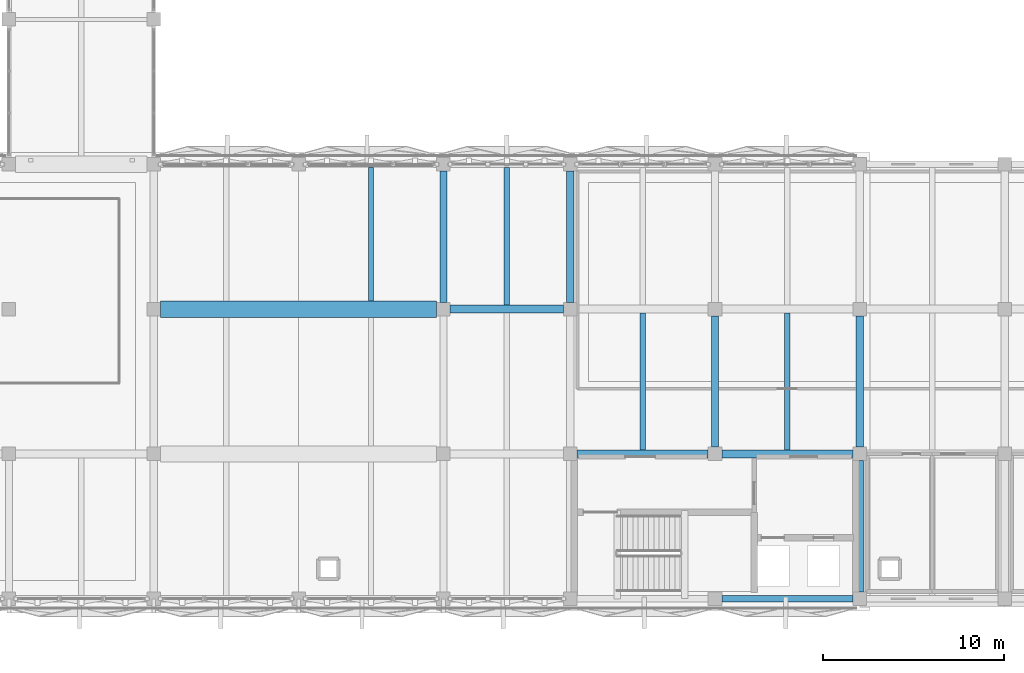
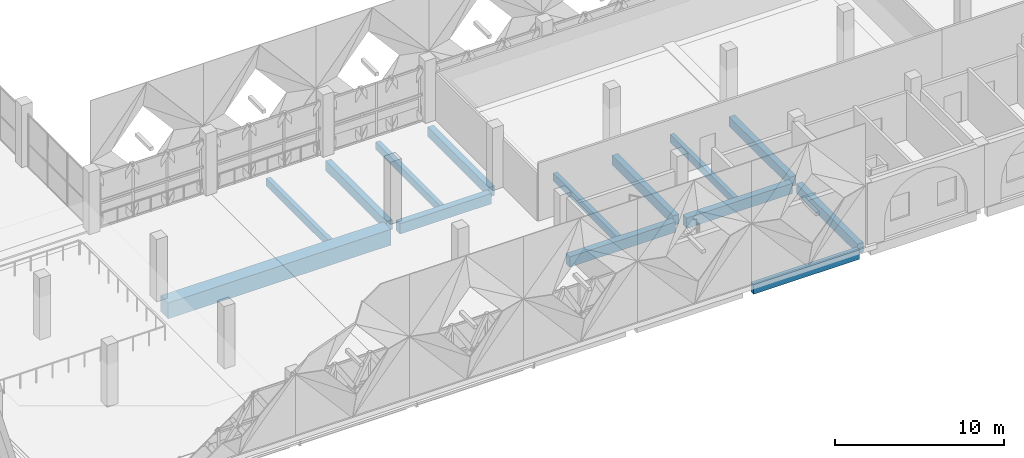
# One storey, part 14 of 53: 14 beams.
"""IFC4 building model written with IfcOpenShell, lengths in metres."""

from ifc_helpers import new_model, si_unit, direction, frame, origin, origin_2d, place, context, subcontext, project, spatial, rectangle, extrude, material, material_profile, profile_set, type_object, element, save


model = new_model("IFC4")

# Units and contexts
model_context = context("Model", 3, precision=1e-05, world=origin(), true_north=direction((0.0, 1.0)))
body_context = subcontext(model_context, "Body", "Model", "MODEL_VIEW")
ifc_project = project(units=[si_unit("LENGTHUNIT", "METRE"), si_unit("AREAUNIT", "SQUARE_METRE"), si_unit("VOLUMEUNIT", "CUBIC_METRE"), si_unit("PLANEANGLEUNIT", "RADIAN"), si_unit("MASSUNIT", "GRAM", prefix="KILO")], contexts=[model_context])

# Site, building, storey
site_placement = place(None, origin())
site = spatial("IfcSite", under=ifc_project, at=site_placement, CompositionType="ELEMENT")
building_placement = place(site_placement, origin())
building = spatial("IfcBuilding", under=site, at=building_placement, Name="Qorikala Patio Media Centre", CompositionType="ELEMENT")
storey_placement = place(building_placement, frame((0.0, 0.0, 5.39990234375)))
storey = spatial("IfcBuildingStorey", under=building, at=storey_placement, Name="L01", CompositionType="ELEMENT", Elevation=5.39990234375)

# Beams
ifc_material = material(Name="Concrete C35/45", Category="concrete")
ifc_material_profile_1 = material_profile(ifc_material, rectangle(XDim=0.39990234375, YDim=0.699951171875, at=origin_2d()), Name="RC 400x700")
ifc_profile_set_1 = profile_set([ifc_material_profile_1], Name="Concrete C35/45")
beam_type_1 = type_object("IfcBeamType", Name="BM-G400X700", PredefinedType="BEAM", material=ifc_profile_set_1)
for number, where, z_axis, x_axis, name in (
    (1, (75.0, 19.375, -0.64990234375), (0.0, 1.0, 0.0), (-1.0, 0.0, 0.0), "L01 Grid X=75 Beam 0624"),
    (2, (82.0, 19.375, -0.64990234375), (0.0, 1.0, 0.0), (-1.0, 0.0, 0.0), "L01 Grid X=82 Beam 0632"),
    (3, (90.0, 11.375, -0.64990234375), (0.0, 1.0, 0.0), (-1.0, 0.0, 0.0), "L01 Grid X=90 Beam 0633"),
    (4, (98.0, 3.375, -0.64990234375), (0.0, 1.0, 0.0), (-1.0, 0.0, 0.0), "L01 Grid X=98 Beam 0635"),
    (5, (98.0, 11.375, -0.64990234375), (0.0, 1.0, 0.0), (-1.0, 0.0, 0.0), "L01 Grid X=98 Beam 0636"),
):
    element("IfcBeam", number, at=place(storey_placement, frame(where, z_axis=z_axis, x_axis=x_axis)), inside=storey, type_object=beam_type_1, Name=name, PredefinedType="BEAM", context=body_context, shape_type="SweptSolid", body=[
        extrude(rectangle(XDim=0.39990234375, YDim=0.699951171875, at=origin_2d()), origin(), (0.0, 0.0, 1.0), 7.25),
    ])
ifc_material_profile_2 = material_profile(ifc_material, rectangle(XDim=0.449951171875, YDim=0.75, at=origin_2d()), Name="RC 450x750")
ifc_profile_set_2 = profile_set([ifc_material_profile_2], Name="Concrete C35/45")
beam_type_2 = type_object("IfcBeamType", Name="BM-G450X750", PredefinedType="BEAM", material=ifc_profile_set_2)
for number, where, z_axis, x_axis, name in (
    (6, (82.375, 11.0, -0.6748046875), (1.0, 0.0, 0.0), (0.0, 1.0, 0.0), "L01 Grid 11 Beam 0429"),
    (7, (90.375, 11.0, -0.6748046875), (1.0, 0.0, 0.0), (0.0, 1.0, 0.0), "L01 Grid 11 Beam 0430"),
):
    element("IfcBeam", number, at=place(storey_placement, frame(where, z_axis=z_axis, x_axis=x_axis)), inside=storey, type_object=beam_type_2, Name=name, PredefinedType="BEAM", context=body_context, shape_type="SweptSolid", body=[
        extrude(rectangle(XDim=0.449951171875, YDim=0.75, at=origin_2d()), origin(), (0.0, 0.0, 1.0), 7.25),
    ])
beam_1_placement = place(storey_placement, frame((75.375, 19.0, -0.6748046875), z_axis=(1.0, 0.0, 0.0), x_axis=(0.0, 1.0, 0.0)))
element("IfcBeam", 8, at=beam_1_placement, inside=storey, type_object=beam_type_2, Name="L01 Grid 19 Beam 0445", PredefinedType="BEAM", context=body_context, shape_type="SweptSolid", body=[
    extrude(rectangle(XDim=0.449951171875, YDim=0.75, at=origin_2d()), origin(), (0.0, 0.0, 1.0), 6.25),
])
ifc_material_profile_3 = material_profile(ifc_material, rectangle(XDim=0.89990234375, YDim=1.14990234375, at=origin_2d()), Name="RC 900x1150")
ifc_profile_set_3 = profile_set([ifc_material_profile_3], Name="Concrete C35/45")
beam_type_3 = type_object("IfcBeamType", Name="BM-TR900X1150", PredefinedType="BEAM", material=ifc_profile_set_3)
beam_2_placement = place(storey_placement, frame((59.375, 19.0, -0.875), z_axis=(1.0, 0.0, 0.0), x_axis=(0.0, 1.0, 0.0)))
element("IfcBeam", 9, at=beam_2_placement, inside=storey, type_object=beam_type_3, Name="L01 Grid 19 Beam 0444", PredefinedType="BEAM", context=body_context, shape_type="SweptSolid", body=[
    extrude(rectangle(XDim=0.89990234375, YDim=1.14990234375, at=origin_2d()), origin(), (0.0, 0.0, 1.0), 15.25),
])
ifc_material_profile_4 = material_profile(ifc_material, rectangle(XDim=0.300048828125, YDim=0.550048828125, at=origin_2d()), Name="RC 300x550")
ifc_profile_set_4 = profile_set([ifc_material_profile_4], Name="Concrete C35/45")
beam_type_4 = type_object("IfcBeamType", Name="JS-300X550", PredefinedType="JOIST", material=ifc_profile_set_4)
beam_3_placement = place(storey_placement, frame((71.0, 19.449951171875, -0.574951171875), z_axis=(0.0, 1.0, 0.0), x_axis=(-1.0, 0.0, 0.0)))
element("IfcBeam", 10, at=beam_3_placement, inside=storey, type_object=beam_type_4, Name="L01 Secondary Joist 0720", PredefinedType="JOIST", context=body_context, shape_type="SweptSolid", body=[
    extrude(rectangle(XDim=0.300048828125, YDim=0.550048828125, at=origin_2d()), origin(), (0.0, 0.0, 1.0), 7.375),
])
beam_4_placement = place(storey_placement, frame((78.5, 19.22509765625, -0.574951171875), z_axis=(0.0, 1.0, 0.0), x_axis=(-1.0, 0.0, 0.0)))
element("IfcBeam", 11, at=beam_4_placement, inside=storey, type_object=beam_type_4, Name="L01 Secondary Joist 0728", PredefinedType="JOIST", context=body_context, shape_type="SweptSolid", body=[
    extrude(rectangle(XDim=0.300048828125, YDim=0.550048828125, at=origin_2d()), origin(), (0.0, 0.0, 1.0), 7.599853515625),
])
for number, where, z_axis, x_axis, name in (
    (12, (86.0, 11.22509765625, -0.574951171875), (0.0, 1.0, 0.0), (-1.0, 0.0, 0.0), "L01 Secondary Joist 0729"),
    (13, (94.0, 11.22509765625, -0.574951171875), (0.0, 1.0, 0.0), (-1.0, 0.0, 0.0), "L01 Secondary Joist 0731"),
):
    element("IfcBeam", number, at=place(storey_placement, frame(where, z_axis=z_axis, x_axis=x_axis)), inside=storey, type_object=beam_type_4, Name=name, PredefinedType="JOIST", context=body_context, shape_type="SweptSolid", body=[
        extrude(rectangle(XDim=0.300048828125, YDim=0.550048828125, at=origin_2d()), origin(), (0.0, 0.0, 1.0), 7.5498046875),
    ])
ifc_material_profile_5 = material_profile(ifc_material, rectangle(XDim=0.35009765625, YDim=0.679931640625, at=origin_2d()), Name="RC 350x680")
ifc_profile_set_5 = profile_set([ifc_material_profile_5], Name="Concrete C35/45")
beam_type_5 = type_object("IfcBeamType", Name="SP-350X680", PredefinedType="SPANDREL", material=ifc_profile_set_5)
beam_5_placement = place(storey_placement, frame((90.375, 3.0, -0.639892578125), z_axis=(1.0, 0.0, 0.0), x_axis=(0.0, 1.0, 0.0)))
element("IfcBeam", 14, at=beam_5_placement, inside=storey, type_object=beam_type_5, Name="L01 Grid 3 Beam 0410", PredefinedType="SPANDREL", context=body_context, shape_type="SweptSolid", body=[
    extrude(rectangle(XDim=0.35009765625, YDim=0.679931640625, at=origin_2d()), origin(), (0.0, 0.0, 1.0), 7.25),
])

save(model, "model.ifc")
